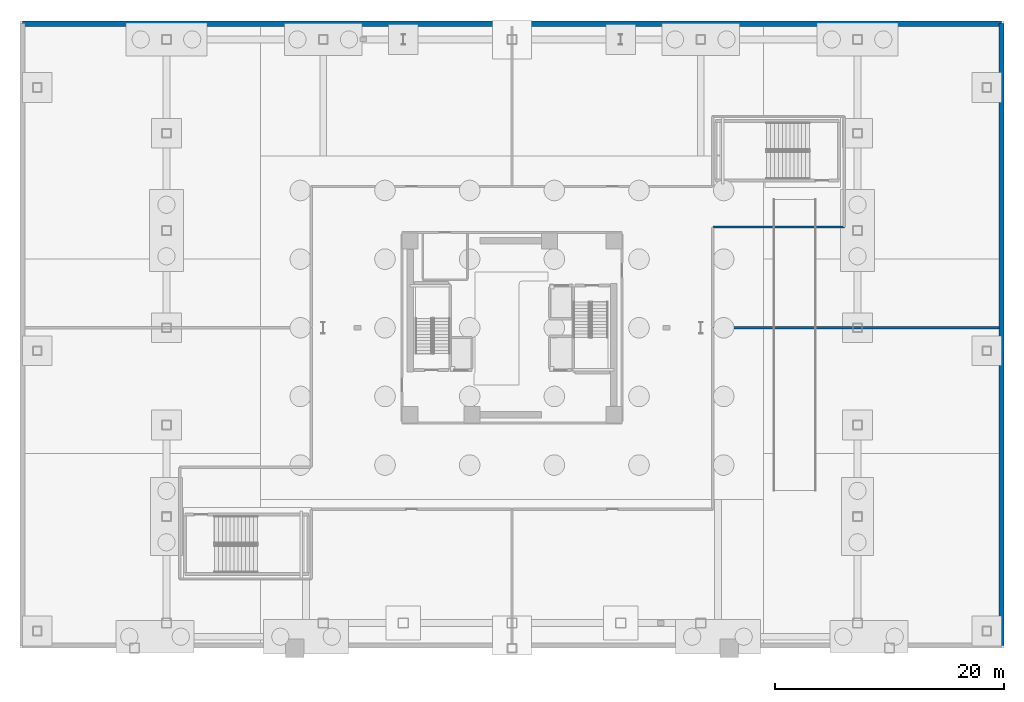
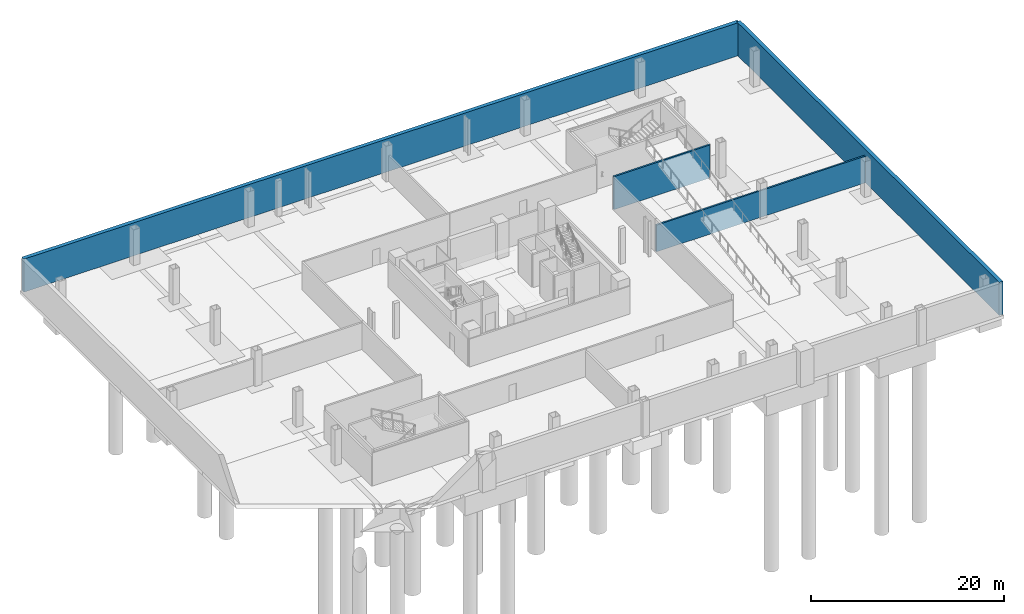
# One storey, part 9 of 15: 4 walls.
"""IFC4 building model written with IfcOpenShell, lengths in metres."""

from ifc_helpers import new_model, si_unit, direction, frame, frame_2d, origin, place, context, subcontext, project, spatial, rectangle, extrude, material, layer, layer_set, type_object, element, save


model = new_model("IFC4")

# Units and contexts
model_context = context("Model", 3, precision=1e-05, world=origin(), true_north=direction((0.0, 1.0)))
body_context = subcontext(model_context, "Body", "Model", "MODEL_VIEW")
ifc_project = project(units=[si_unit("LENGTHUNIT", "METRE"), si_unit("AREAUNIT", "SQUARE_METRE"), si_unit("VOLUMEUNIT", "CUBIC_METRE"), si_unit("PLANEANGLEUNIT", "RADIAN"), si_unit("MASSUNIT", "GRAM", prefix="KILO")], contexts=[model_context])

# Site, building, storey
site_placement = place(None, origin())
site = spatial("IfcSite", under=ifc_project, at=site_placement, CompositionType="ELEMENT")
building_placement = place(site_placement, origin())
building = spatial("IfcBuilding", under=site, at=building_placement, Name="Tharavind Bronze Gate", CompositionType="ELEMENT")
storey_placement = place(building_placement, frame((0.0, 0.0, -9.0)))
storey = spatial("IfcBuildingStorey", under=building, at=storey_placement, Name="B02", CompositionType="ELEMENT", Elevation=-9.0)

# Walls
ifc_material_1 = material(Name="Concrete C50/60", Category="concrete")
ifc_layer_1 = layer(ifc_material_1, 0.449951171875)
ifc_layer_set_1 = layer_set([ifc_layer_1], Name="Concrete C50/60")
wall_type_1 = type_object("IfcWallType", Name="BASEMENT RETAINING WALL 450", PredefinedType="STANDARD", material=ifc_layer_set_1)
wall_1_placement = place(storey_placement, frame((42.77490234375, -27.77490234375, 0.0), z_axis=(0.0, 0.0, 1.0), x_axis=(0.0, 1.0, 0.0)))
element("IfcWall", 1, at=wall_1_placement, inside=storey, type_object=wall_type_1, Name="B02 perimeter retaining wall 2", PredefinedType="STANDARD", context=body_context, shape_type="SweptSolid", body=[
    extrude(rectangle(XDim=54.349853515625, YDim=0.449951171875, at=frame_2d((27.1748046875, 0.0))), origin(), (0.0, 0.0, 1.0), 4.175048828125),
])
wall_2_placement = place(storey_placement, frame((42.77490234375, 26.574951171875, 0.0), z_axis=(0.0, 0.0, 1.0), x_axis=(-1.0, 0.0, 0.0)))
element("IfcWall", 2, at=wall_2_placement, inside=storey, type_object=wall_type_1, Name="B02 perimeter retaining wall 3", PredefinedType="STANDARD", context=body_context, shape_type="SweptSolid", body=[
    extrude(rectangle(XDim=85.5498046875, YDim=0.449951171875, at=frame_2d((42.77490234375, 0.0))), origin(), (0.0, 0.0, 1.0), 4.175048828125),
])
ifc_material_2 = material(Name="Aerated Concrete Block", Category="concrete")
ifc_layer_2 = layer(ifc_material_2, 0.199951171875)
ifc_layer_set_2 = layer_set([ifc_layer_2], Name="Aerated Concrete Block")
wall_type_2 = type_object("IfcWallType", Name="FIRE RATED PARTITION 200", PredefinedType="PARTITIONING", material=ifc_layer_set_2)
wall_3_placement = place(storey_placement, frame((42.544921875, 0.0, 0.0), z_axis=(0.0, 0.0, 1.0), x_axis=(-1.0, 0.0, 0.0)))
element("IfcWall", 3, at=wall_3_placement, inside=storey, type_object=wall_type_2, Name="B02 Chiller & Heat Rejection Plant Hall partition", PredefinedType="PARTITIONING", context=body_context, shape_type="SweptSolid", body=[
    extrude(rectangle(XDim=24.969970703125, YDim=0.199951171875, at=frame_2d((12.48486328125, 0.0))), origin(), (0.0, 0.0, 1.0), 3.3701171875),
])
wall_4_placement = place(storey_placement, frame((17.574951171875, 8.800048828125, 0.0), z_axis=(0.0, 0.0, 1.0), x_axis=(1.0, 0.0, 0.0)))
element("IfcWall", 4, at=wall_4_placement, inside=storey, type_object=wall_type_2, Name="B02 Chiller & Heat Rejection Plant Hall partition", PredefinedType="PARTITIONING", context=body_context, shape_type="SweptSolid", body=[
    extrude(rectangle(XDim=11.474365234375, YDim=0.199951171875, at=frame_2d((5.7373046875, 0.0))), origin(), (0.0, 0.0, 1.0), 4.175048828125),
])

save(model, "model.ifc")
